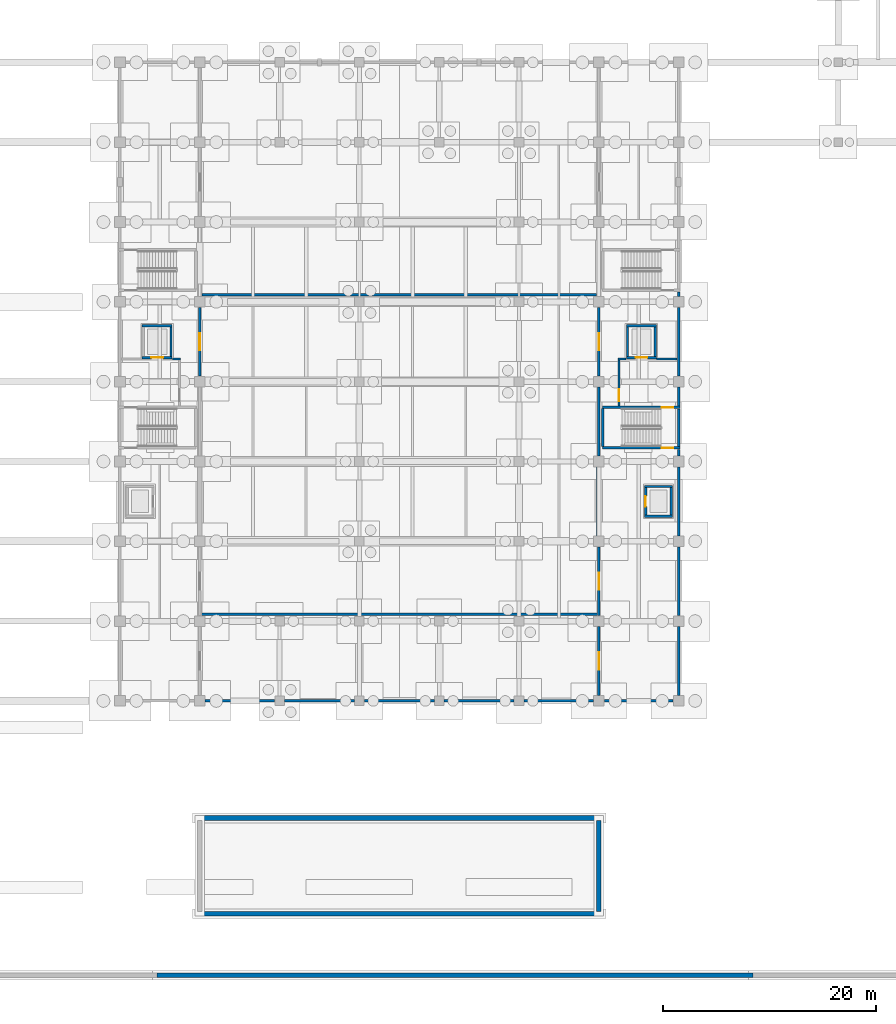
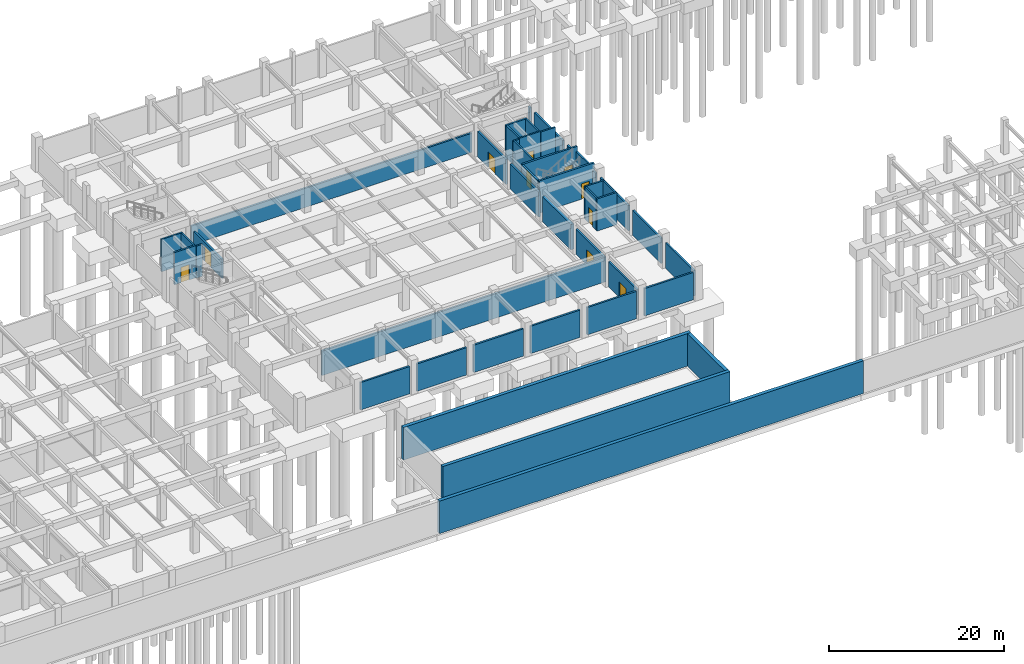
# One storey, part 24 of 38: 44 walls, 10 doors, 10 openings.
"""IFC4 building model written with IfcOpenShell, lengths in metres."""

import ifcopenshell
import ifcopenshell.guid

model = None  # the IFC model being written
_history = None  # IfcOwnerHistory: only IFC2X3 demands one
_inside = {}  # id of a spatial element -> (the spatial element, [elements in it])
_under = {}  # id of a project, library or spatial element -> (it, [spatial elements below it])
_declared = {}  # id of a project -> (the project, [libraries it declares])
_typed = {}  # id of a type object -> (the type object, [elements of that type])
_made_of = {}  # id of a material, layer set ... -> (it, [elements and type objects made of it])


def new_model(schema):
    """Start an empty IFC model of exactly this schema.

    Asked for "IFC4X3", IfcOpenShell would pick the latest addendum, in which some entities
    have other attributes; the version numbers below select the first issue.
    IFC2X3 requires an IfcOwnerHistory on every rooted entity: one is made here for all.
    """
    global model, _history
    if schema == "IFC4X3":
        model = ifcopenshell.file(schema_version=(4, 3, 0, 0))
    else:
        model = ifcopenshell.file(schema=schema)
    _inside.clear()
    _under.clear()
    _declared.clear()
    _typed.clear()
    _made_of.clear()
    _history = None
    if model.schema == "IFC2X3":
        org = make("IfcOrganization", Name="unknown")
        user = make(
            "IfcPersonAndOrganization",
            ThePerson=make("IfcPerson", FamilyName="unknown"),
            TheOrganization=org,
        )
        app = make(
            "IfcApplication",
            ApplicationDeveloper=org,
            Version="unknown",
            ApplicationFullName="unknown",
            ApplicationIdentifier="unknown",
        )
        _history = make(
            "IfcOwnerHistory",
            OwningUser=user,
            OwningApplication=app,
            ChangeAction="ADDED",
            CreationDate=0,
        )
    return model


def make(cls, **values):
    """One entity of the class cls with the attributes given. An attribute that is None is left unset."""
    return model.create_entity(
        cls, **{name: value for name, value in values.items() if value is not None}
    )


def rooted(cls, **values):
    """An entity with a GlobalId (a new one), such as an element, a storey or a relation."""
    return make(cls, GlobalId=ifcopenshell.guid.new(), OwnerHistory=_history, **values)


def si_unit(unit_type, name, prefix=None):
    """IfcSIUnit, for example si_unit("LENGTHUNIT", "METRE", prefix="MILLI")."""
    return make("IfcSIUnit", UnitType=unit_type, Prefix=prefix, Name=name)


def assignment(units):
    """IfcUnitAssignment: the units of a project."""
    return None if units is None else make("IfcUnitAssignment", Units=units)


def point(xyz):
    """IfcCartesianPoint."""
    return None if xyz is None else make("IfcCartesianPoint", Coordinates=xyz)


def direction(xyz):
    """IfcDirection."""
    return None if xyz is None else make("IfcDirection", DirectionRatios=xyz)


def frame(location, z_axis=None, x_axis=None):
    """IfcAxis2Placement3D, a coordinate frame: its origin and axes. An axis left out is left unset."""
    return make(
        "IfcAxis2Placement3D",
        Location=point(location),
        Axis=direction(z_axis),
        RefDirection=direction(x_axis),
    )


def frame_2d(location, x_axis=None):
    """IfcAxis2Placement2D, a coordinate frame in the plane: its origin and x axis."""
    return make(
        "IfcAxis2Placement2D", Location=point(location), RefDirection=direction(x_axis)
    )


def origin():
    """The frame at (0, 0, 0) with its axes left unset."""
    return frame((0.0, 0.0, 0.0))


def place(relative_to, where):
    """IfcLocalPlacement: puts the frame where relative to a parent placement (None: the world)."""
    return make(
        "IfcLocalPlacement", PlacementRelTo=relative_to, RelativePlacement=where
    )


def context(
    kind, dimensions, precision=None, world=None, true_north=None, identifier=None
):
    """IfcGeometricRepresentationContext, for example the 3D "Model" context."""
    return make(
        "IfcGeometricRepresentationContext",
        ContextIdentifier=identifier,
        ContextType=kind,
        CoordinateSpaceDimension=dimensions,
        Precision=precision,
        WorldCoordinateSystem=world,
        TrueNorth=true_north,
    )


def subcontext(parent, identifier, kind, view, scale=None):
    """IfcGeometricRepresentationSubContext, for example "Body" below "Model"."""
    return make(
        "IfcGeometricRepresentationSubContext",
        ContextIdentifier=identifier,
        ContextType=kind,
        ParentContext=parent,
        TargetScale=scale,
        TargetView=view,
    )


def project(units=None, contexts=None):
    """IfcProject with its units and contexts."""
    return rooted(
        "IfcProject",
        Name="project",
        RepresentationContexts=contexts,
        UnitsInContext=assignment(units),
    )


def spatial(cls, under=None, at=None, **own):
    """A site, building, storey or space (cls), placed at a placement, below another one or the project."""
    s = rooted(cls, ObjectPlacement=at, **own)
    if under is not None:
        _under.setdefault(under.id(), (under, []))[1].append(s)
    return s


def profile(cls, at=None, kind="AREA", **sizes):
    """A parametric profile (cls). Its sizes go by their IFC names, for example OverallWidth=200.0."""
    return make(cls, ProfileType=kind, Position=at, **sizes)


def rectangle(**sizes):
    """IfcRectangleProfileDef."""
    return profile("IfcRectangleProfileDef", **sizes)


def extrude(swept, where, along, depth):
    """IfcExtrudedAreaSolid: the profile swept, set in the frame where, extruded along a direction by depth."""
    return make(
        "IfcExtrudedAreaSolid",
        SweptArea=swept,
        Position=where,
        ExtrudedDirection=direction(along),
        Depth=depth,
    )


def shape(context_of_items, identifier, shape_type, items):
    """IfcShapeRepresentation: the items that make up one representation, for example the "Body"."""
    return make(
        "IfcShapeRepresentation",
        ContextOfItems=context_of_items,
        RepresentationIdentifier=identifier,
        RepresentationType=shape_type,
        Items=items,
    )


def material(Name=None, Category=None):
    """IfcMaterial."""
    return make("IfcMaterial", Name=Name, Category=Category)


def layer(
    of_material, thickness, ventilated=None, Name=None, Category=None, Priority=None
):
    """IfcMaterialLayer: one layer of a wall or slab, of a material (None: an air gap)."""
    return make(
        "IfcMaterialLayer",
        Material=of_material,
        LayerThickness=thickness,
        IsVentilated=ventilated,
        Name=Name,
        Category=Category,
        Priority=Priority,
    )


def layer_set(layers, Name=None):
    """IfcMaterialLayerSet."""
    return make("IfcMaterialLayerSet", MaterialLayers=layers, LayerSetName=Name)


def made_of(thing, what):
    """Note that an element or type object is made of a material, layer set ...; save() writes the relation."""
    if what is not None:
        _made_of.setdefault(what.id(), (what, []))[1].append(thing)
    return thing


def type_object(cls, material=None, **own):
    """A type object (cls), such as IfcWallType, which elements share."""
    return made_of(rooted(cls, **own), material)


def element(
    cls,
    number,
    at=None,
    inside=None,
    cuts=None,
    type_object=None,
    material=None,
    context=None,
    identifier="Body",
    shape_type=None,
    held_by="IfcProductDefinitionShape",
    body=None,
    shapes=None,
    **own,
):
    """One element of the class cls, such as IfcWall. Its Tag is "e" and its number.

    at: its placement. inside: the storey or other place that contains it. cuts: it is an
    opening in that element (IfcRelVoidsElement). A single representation is given by context,
    identifier, shape_type and body (its items); several are given by shapes. held_by: the class
    of the entity that holds the representations. save() writes the other relations.
    """
    e = rooted(cls, Tag="e%d" % number, ObjectPlacement=at, **own)
    if body is not None:
        shapes = [shape(context, identifier, shape_type, body)]
    if shapes is not None:
        e.Representation = make(held_by, Representations=shapes)
    if inside is not None:
        _inside.setdefault(inside.id(), (inside, []))[1].append(e)
    if cuts is not None:
        rooted(
            "IfcRelVoidsElement", RelatingBuildingElement=cuts, RelatedOpeningElement=e
        )
    if type_object is not None:
        _typed.setdefault(type_object.id(), (type_object, []))[1].append(e)
    return made_of(e, material)


def fill(opening, filler):
    """IfcRelFillsElement: the door or window that sits in an opening."""
    return rooted(
        "IfcRelFillsElement",
        RelatingOpeningElement=opening,
        RelatedBuildingElement=filler,
    )


def aggregate(whole, parts):
    """IfcRelAggregates: a whole, such as a stair, and the parts it consists of."""
    return rooted("IfcRelAggregates", RelatingObject=whole, RelatedObjects=parts)


def save(model, path):
    """Write the relations noted so far, then the file.

    IfcRelAggregates (storeys below a building ...), IfcRelContainedInSpatialStructure (elements
    in a storey), IfcRelDefinesByType, IfcRelAssociatesMaterial and IfcRelDeclares: one each for
    every whole, place, type object, material and project.
    """
    for whole, parts in _under.values():
        aggregate(whole, parts)
    for where, things in _inside.values():
        rooted(
            "IfcRelContainedInSpatialStructure",
            RelatedElements=things,
            RelatingStructure=where,
        )
    for kind, things in _typed.values():
        rooted("IfcRelDefinesByType", RelatedObjects=things, RelatingType=kind)
    for what, things in _made_of.values():
        rooted("IfcRelAssociatesMaterial", RelatedObjects=things, RelatingMaterial=what)
    for by, libraries in _declared.values():
        rooted("IfcRelDeclares", RelatingContext=by, RelatedDefinitions=libraries)
    model.write(path)


model = new_model("IFC4")

# Units and contexts
model_context = context("Model", 3, precision=1e-05, world=origin(), true_north=direction((0.0, 1.0)))
body_context = subcontext(model_context, "Body", "Model", "MODEL_VIEW")
ifc_project = project(units=[si_unit("LENGTHUNIT", "METRE"), si_unit("AREAUNIT", "SQUARE_METRE"), si_unit("VOLUMEUNIT", "CUBIC_METRE"), si_unit("PLANEANGLEUNIT", "RADIAN"), si_unit("MASSUNIT", "GRAM", prefix="KILO")], contexts=[model_context])

# Site, building, storey
site_placement = place(None, origin())
site = spatial("IfcSite", under=ifc_project, at=site_placement, CompositionType="ELEMENT")
building_placement = place(site_placement, origin())
building = spatial("IfcBuilding", under=site, at=building_placement, Name="Qasida Concert Hall", CompositionType="ELEMENT")
storey_placement = place(building_placement, frame((0.0, 0.0, -4.800048828125)))
storey = spatial("IfcBuildingStorey", under=building, at=storey_placement, Name="B1", CompositionType="ELEMENT", Elevation=-4.800048828125)

# Walls
ifc_material_1 = material(Name="Concrete C40/50", Category="concrete")
ifc_layer_1 = layer(ifc_material_1, 0.219970703125, Name="Concrete C40/50")
ifc_layer_set_1 = layer_set([ifc_layer_1], Name="Concrete C40/50")
wall_type_1 = type_object("IfcWallType", Name="WL-CW-220", PredefinedType="SOLIDWALL", material=ifc_layer_set_1)
for number, where, z_axis, x_axis, name in (
    (1, (101.7900390625, 39.85009765625, 0.0), (0.0, 0.0, 1.0), (1.0, 0.0, 0.0), "B1 LF-02 lift shaft wall S"),
    (2, (101.7900390625, 42.64990234375, 0.0), (0.0, 0.0, 1.0), (1.0, 0.0, 0.0), "B1 LF-02 lift shaft wall N"),
):
    element("IfcWall", number, at=place(storey_placement, frame(where, z_axis=z_axis, x_axis=x_axis)), inside=storey, type_object=wall_type_1, Name=name, PredefinedType="SOLIDWALL", context=body_context, shape_type="SweptSolid", body=[
        extrude(rectangle(XDim=2.619873046875, YDim=0.219970703125, at=frame_2d((1.31005859375, 0.0))), origin(), (0.0, 0.0, 1.0), 4.5),
    ])

# Wall, opening, door
wall_1_placement = place(storey_placement, frame((101.89990234375, 39.9599609375, 0.0), z_axis=(0.0, 0.0, 1.0), x_axis=(0.0, 1.0, 0.0)))
wall_1 = element("IfcWall", 3, at=wall_1_placement, inside=storey, type_object=wall_type_1, Name="B1 LF-02 lift shaft wall W", PredefinedType="SOLIDWALL", context=body_context, shape_type="SweptSolid", body=[
    extrude(rectangle(XDim=2.580078125, YDim=0.219970703125, at=frame_2d((1.2900390625, 0.0))), origin(), (0.0, 0.0, 1.0), 4.5),
])
opening_1_placement = place(wall_1_placement, frame((0.7900390625, 0.0, 0.0)))
opening_1 = element("IfcOpeningElement", 4, at=opening_1_placement, cuts=wall_1, Name="Opening LD-100", PredefinedType="OPENING", context=body_context, shape_type="SweptSolid", body=[
    extrude(rectangle(XDim=1.0, YDim=2.14990234375, at=frame_2d((0.5, 1.074951171875))), frame((0.0, 0.119873046875, 0.0), z_axis=(0.0, -1.0, 0.0), x_axis=(1.0, 0.0, 0.0)), (0.0, 0.0, 1.0), 0.239990234375),
])
ifc_material_2 = material(Name="Brushed bronze passenger lift landing door", Category="steel")
door_type_1 = type_object("IfcDoorType", Name="LD-100", OperationType="SLIDING_TO_LEFT", PredefinedType="DOOR", material=ifc_material_2)
door_1_placement = place(opening_1_placement, origin())
door_1 = element("IfcDoor", 5, at=door_1_placement, inside=storey, type_object=door_type_1, Name="Lift landing door LF-02 B1", OperationType="SLIDING_TO_LEFT", OverallHeight=2.14990234375, OverallWidth=1.0, PredefinedType="DOOR", context=body_context, shape_type="SweptSolid", body=[
    extrude(rectangle(XDim=1.0, YDim=2.14990234375, at=frame_2d((0.5, 1.074951171875))), frame((0.0, 0.02490234375, 0.0), z_axis=(0.0, -1.0, 0.0), x_axis=(1.0, 0.0, 0.0)), (0.0, 0.0, 1.0), 0.050048828125),
])
fill(opening_1, door_1)

# Wall
wall_2_placement = place(storey_placement, frame((104.300048828125, 39.9599609375, 0.0), z_axis=(0.0, 0.0, 1.0), x_axis=(0.0, 1.0, 0.0)))
element("IfcWall", 6, at=wall_2_placement, inside=storey, type_object=wall_type_1, Name="B1 LF-02 lift shaft wall E", PredefinedType="SOLIDWALL", context=body_context, shape_type="SweptSolid", body=[
    extrude(rectangle(XDim=2.580078125, YDim=0.219970703125, at=frame_2d((1.2900390625, 0.0))), origin(), (0.0, 0.0, 1.0), 4.5),
])

# Wall, opening, door
wall_3_placement = place(storey_placement, frame((54.590087890625, 54.75, 0.0), z_axis=(0.0, 0.0, 1.0), x_axis=(1.0, 0.0, 0.0)))
wall_3 = element("IfcWall", 7, at=wall_3_placement, inside=storey, type_object=wall_type_1, Name="B1 LF-03 lift shaft wall S", PredefinedType="SOLIDWALL", context=body_context, shape_type="SweptSolid", body=[
    extrude(rectangle(XDim=2.81982421875, YDim=0.219970703125, at=frame_2d((1.409912109375, 0.0))), origin(), (0.0, 0.0, 1.0), 4.5),
])
opening_2_placement = place(wall_3_placement, frame((0.860107421875, 0.0, 0.0)))
opening_2 = element("IfcOpeningElement", 8, at=opening_2_placement, cuts=wall_3, Name="Opening LD-110", PredefinedType="OPENING", context=body_context, shape_type="SweptSolid", body=[
    extrude(rectangle(XDim=1.10009765625, YDim=2.14990234375, at=frame_2d((0.550048828125, 1.074951171875))), frame((0.0, 0.119873046875, 0.0), z_axis=(0.0, -1.0, 0.0), x_axis=(1.0, 0.0, 0.0)), (0.0, 0.0, 1.0), 0.239990234375),
])
ifc_material_3 = material(Name="Firefighting lift sliding landing door", Category="steel")
door_type_2 = type_object("IfcDoorType", Name="LD-110", OperationType="SLIDING_TO_LEFT", PredefinedType="DOOR", material=ifc_material_3)
door_2_placement = place(opening_2_placement, origin())
door_2 = element("IfcDoor", 9, at=door_2_placement, inside=storey, type_object=door_type_2, Name="Lift landing door LF-03 B1", OperationType="SLIDING_TO_LEFT", OverallHeight=2.14990234375, OverallWidth=1.10009765625, PredefinedType="DOOR", context=body_context, shape_type="SweptSolid", body=[
    extrude(rectangle(XDim=1.10009765625, YDim=2.14990234375, at=frame_2d((0.550048828125, 1.074951171875))), frame((0.0, 0.02490234375, 0.0), z_axis=(0.0, -1.0, 0.0), x_axis=(1.0, 0.0, 0.0)), (0.0, 0.0, 1.0), 0.050048828125),
])
fill(opening_2, door_2)

# Walls
wall_4_placement = place(storey_placement, frame((54.590087890625, 57.75, 0.0), z_axis=(0.0, 0.0, 1.0), x_axis=(1.0, 0.0, 0.0)))
element("IfcWall", 10, at=wall_4_placement, inside=storey, type_object=wall_type_1, Name="B1 LF-03 lift shaft wall N", PredefinedType="SOLIDWALL", context=body_context, shape_type="SweptSolid", body=[
    extrude(rectangle(XDim=2.81982421875, YDim=0.219970703125, at=frame_2d((1.409912109375, 0.0))), origin(), (0.0, 0.0, 1.0), 4.5),
])
wall_5_placement = place(storey_placement, frame((57.300048828125, 54.860107421875, 0.0), z_axis=(0.0, 0.0, 1.0), x_axis=(0.0, 1.0, 0.0)))
element("IfcWall", 11, at=wall_5_placement, inside=storey, type_object=wall_type_1, Name="B1 LF-03 lift shaft wall E", PredefinedType="SOLIDWALL", context=body_context, shape_type="SweptSolid", body=[
    extrude(rectangle(XDim=2.77978515625, YDim=0.219970703125, at=frame_2d((1.389892578125, 0.0))), origin(), (0.0, 0.0, 1.0), 4.5),
])

# Wall, opening, door
wall_6_placement = place(storey_placement, frame((100.090087890625, 54.75, 0.0), z_axis=(0.0, 0.0, 1.0), x_axis=(1.0, 0.0, 0.0)))
wall_6 = element("IfcWall", 12, at=wall_6_placement, inside=storey, type_object=wall_type_1, Name="B1 LF-04 lift shaft wall S", PredefinedType="SOLIDWALL", context=body_context, shape_type="SweptSolid", body=[
    extrude(rectangle(XDim=2.81982421875, YDim=0.219970703125, at=frame_2d((1.409912109375, 0.0))), origin(), (0.0, 0.0, 1.0), 4.5),
])
opening_3_placement = place(wall_6_placement, frame((0.860107421875, 0.0, 0.0)))
opening_3 = element("IfcOpeningElement", 13, at=opening_3_placement, cuts=wall_6, Name="Opening LD-110", PredefinedType="OPENING", context=body_context, shape_type="SweptSolid", body=[
    extrude(rectangle(XDim=1.10009765625, YDim=2.14990234375, at=frame_2d((0.550048828125, 1.074951171875))), frame((0.0, 0.119873046875, 0.0), z_axis=(0.0, -1.0, 0.0), x_axis=(1.0, 0.0, 0.0)), (0.0, 0.0, 1.0), 0.239990234375),
])
door_3_placement = place(opening_3_placement, origin())
door_3 = element("IfcDoor", 14, at=door_3_placement, inside=storey, type_object=door_type_2, Name="Lift landing door LF-04 B1", OperationType="SLIDING_TO_LEFT", OverallHeight=2.14990234375, OverallWidth=1.10009765625, PredefinedType="DOOR", context=body_context, shape_type="SweptSolid", body=[
    extrude(rectangle(XDim=1.10009765625, YDim=2.14990234375, at=frame_2d((0.550048828125, 1.074951171875))), frame((0.0, 0.02490234375, 0.0), z_axis=(0.0, -1.0, 0.0), x_axis=(1.0, 0.0, 0.0)), (0.0, 0.0, 1.0), 0.050048828125),
])
fill(opening_3, door_3)

# Walls
wall_7_placement = place(storey_placement, frame((100.090087890625, 57.75, 0.0), z_axis=(0.0, 0.0, 1.0), x_axis=(1.0, 0.0, 0.0)))
element("IfcWall", 15, at=wall_7_placement, inside=storey, type_object=wall_type_1, Name="B1 LF-04 lift shaft wall N", PredefinedType="SOLIDWALL", context=body_context, shape_type="SweptSolid", body=[
    extrude(rectangle(XDim=2.81982421875, YDim=0.219970703125, at=frame_2d((1.409912109375, 0.0))), origin(), (0.0, 0.0, 1.0), 4.5),
])
for number, where, z_axis, x_axis, name in (
    (16, (100.199951171875, 54.860107421875, 0.0), (0.0, 0.0, 1.0), (0.0, 1.0, 0.0), "B1 LF-04 lift shaft wall W"),
    (17, (102.800048828125, 54.860107421875, 0.0), (0.0, 0.0, 1.0), (0.0, 1.0, 0.0), "B1 LF-04 lift shaft wall E"),
):
    element("IfcWall", number, at=place(storey_placement, frame(where, z_axis=z_axis, x_axis=x_axis)), inside=storey, type_object=wall_type_1, Name=name, PredefinedType="SOLIDWALL", context=body_context, shape_type="SweptSolid", body=[
        extrude(rectangle(XDim=2.77978515625, YDim=0.219970703125, at=frame_2d((1.389892578125, 0.0))), origin(), (0.0, 0.0, 1.0), 4.5),
    ])

# Wall, opening, door
wall_8_placement = place(storey_placement, frame((99.39990234375, 50.219970703125, 0.0), z_axis=(0.0, 0.0, 1.0), x_axis=(0.0, 1.0, 0.0)))
wall_8 = element("IfcWall", 18, at=wall_8_placement, inside=storey, type_object=wall_type_1, Name="B1 LF-04 firefighting lobby wall", PredefinedType="SOLIDWALL", context=body_context, shape_type="SweptSolid", body=[
    extrude(rectangle(XDim=4.409912109375, YDim=0.219970703125, at=frame_2d((2.205078125, 0.0))), origin(), (0.0, 0.0, 1.0), 4.5),
])
opening_4_placement = place(wall_8_placement, frame((0.449951171875, 0.0, 0.0)))
opening_4 = element("IfcOpeningElement", 19, at=opening_4_placement, cuts=wall_8, Name="Opening FD-110", PredefinedType="OPENING", context=body_context, shape_type="SweptSolid", body=[
    extrude(rectangle(XDim=1.10009765625, YDim=2.14990234375, at=frame_2d((0.550048828125, 1.074951171875))), frame((0.0, 0.119873046875, 0.0), z_axis=(0.0, -1.0, 0.0), x_axis=(1.0, 0.0, 0.0)), (0.0, 0.0, 1.0), 0.239990234375),
])
ifc_material_4 = material(Name="Steel fire-rated stair/lobby door set", Category="steel")
door_type_3 = type_object("IfcDoorType", Name="FD-110", OperationType="NOTDEFINED", PredefinedType="DOOR", material=ifc_material_4)
door_4_placement = place(opening_4_placement, origin())
door_4 = element("IfcDoor", 20, at=door_4_placement, inside=storey, type_object=door_type_3, Name="B1 LF-04 firefighting lobby fire door", OperationType="SINGLE_SWING_RIGHT", OverallHeight=2.14990234375, OverallWidth=1.10009765625, PredefinedType="DOOR", context=body_context, shape_type="SweptSolid", body=[
    extrude(rectangle(XDim=1.10009765625, YDim=2.14990234375, at=frame_2d((0.550048828125, 1.074951171875))), frame((0.0, 0.02490234375, 0.0), z_axis=(0.0, -1.0, 0.0), x_axis=(1.0, 0.0, 0.0)), (0.0, 0.0, 1.0), 0.050048828125),
])
fill(opening_4, door_4)

ifc_layer_2 = layer(ifc_material_1, 0.25, Name="Concrete C40/50")
ifc_layer_set_2 = layer_set([ifc_layer_2], Name="Concrete C40/50")
wall_type_2 = type_object("IfcWallType", Name="WL-CW-250", PredefinedType="SOLIDWALL", material=ifc_layer_set_2)
wall_9_placement = place(storey_placement, frame((97.860107421875, 46.27490234375, 0.0), z_axis=(0.0, 0.0, 1.0), x_axis=(1.0, 0.0, 0.0)))
wall_9 = element("IfcWall", 21, at=wall_9_placement, inside=storey, type_object=wall_type_2, Name="B1 ST-02 stairwell wall S", PredefinedType="SOLIDWALL", context=body_context, shape_type="SweptSolid", body=[
    extrude(rectangle(XDim=7.260009765625, YDim=0.25, at=frame_2d((3.6298828125, 0.0))), origin(), (0.0, 0.0, 1.0), 4.5),
])
opening_5_placement = place(wall_9_placement, frame((5.5400390625, 0.0, 0.0)))
opening_5 = element("IfcOpeningElement", 22, at=opening_5_placement, cuts=wall_9, Name="Opening FD-110", PredefinedType="OPENING", context=body_context, shape_type="SweptSolid", body=[
    extrude(rectangle(XDim=1.10009765625, YDim=2.14990234375, at=frame_2d((0.550048828125, 1.074951171875))), frame((0.0, 0.135009765625, 0.0), z_axis=(0.0, -1.0, 0.0), x_axis=(1.0, 0.0, 0.0)), (0.0, 0.0, 1.0), 0.27001953125),
])
door_5_placement = place(opening_5_placement, origin())
door_5 = element("IfcDoor", 23, at=door_5_placement, inside=storey, type_object=door_type_3, Name="B1 ST-02 rated stair door", OperationType="SINGLE_SWING_LEFT", OverallHeight=2.14990234375, OverallWidth=1.10009765625, PredefinedType="DOOR", context=body_context, shape_type="SweptSolid", body=[
    extrude(rectangle(XDim=1.10009765625, YDim=2.14990234375, at=frame_2d((0.550048828125, 1.074951171875))), frame((0.0, 0.02490234375, 0.0), z_axis=(0.0, -1.0, 0.0), x_axis=(1.0, 0.0, 0.0)), (0.0, 0.0, 1.0), 0.050048828125),
])
fill(opening_5, door_5)

wall_10_placement = place(storey_placement, frame((97.860107421875, 50.0849609375, 0.0), z_axis=(0.0, 0.0, 1.0), x_axis=(1.0, 0.0, 0.0)))
wall_10 = element("IfcWall", 24, at=wall_10_placement, inside=storey, type_object=wall_type_2, Name="B1 ST-02 stairwell wall N", PredefinedType="SOLIDWALL", context=body_context, shape_type="SweptSolid", body=[
    extrude(rectangle(XDim=7.260009765625, YDim=0.25, at=frame_2d((3.6298828125, 0.0))), origin(), (0.0, 0.0, 1.0), 4.5),
])
opening_6_placement = place(wall_10_placement, frame((5.5400390625, 0.0, 0.0)))
opening_6 = element("IfcOpeningElement", 25, at=opening_6_placement, cuts=wall_10, Name="Opening FD-110", PredefinedType="OPENING", context=body_context, shape_type="SweptSolid", body=[
    extrude(rectangle(XDim=1.10009765625, YDim=2.14990234375, at=frame_2d((0.550048828125, 1.074951171875))), frame((0.0, 0.135009765625, 0.0), z_axis=(0.0, -1.0, 0.0), x_axis=(1.0, 0.0, 0.0)), (0.0, 0.0, 1.0), 0.27001953125),
])
door_6_placement = place(opening_6_placement, frame((1.10009765625, 0.0, 0.0), z_axis=(0.0, 0.0, 1.0), x_axis=(-1.0, 0.0, 0.0)))
door_6 = element("IfcDoor", 26, at=door_6_placement, inside=storey, type_object=door_type_3, Name="B1 ST-02 rated stair door", OperationType="SINGLE_SWING_RIGHT", OverallHeight=2.14990234375, OverallWidth=1.10009765625, PredefinedType="DOOR", context=body_context, shape_type="SweptSolid", body=[
    extrude(rectangle(XDim=1.10009765625, YDim=2.14990234375, at=frame_2d((0.550048828125, 1.074951171875))), frame((0.0, 0.02490234375, 0.0), z_axis=(0.0, -1.0, 0.0), x_axis=(1.0, 0.0, 0.0)), (0.0, 0.0, 1.0), 0.050048828125),
])
fill(opening_6, door_6)

# Walls
wall_11_placement = place(storey_placement, frame((97.85498046875, 46.39990234375, 0.0), z_axis=(0.0, 0.0, 1.0), x_axis=(0.0, 1.0, 0.0)))
element("IfcWall", 27, at=wall_11_placement, inside=storey, type_object=wall_type_2, Name="B1 ST-02 stairwell wall W", PredefinedType="SOLIDWALL", context=body_context, shape_type="SweptSolid", body=[
    extrude(rectangle(XDim=3.56005859375, YDim=0.25, at=frame_2d((1.780029296875, 0.0))), origin(), (0.0, 0.0, 1.0), 4.5),
])
ifc_material_5 = material(Name="Acoustic gypsum block and mineral wool", Category="gypsum")
ifc_layer_3 = layer(ifc_material_5, 0.199951171875, Name="Acoustic gypsum block and mineral wool")
ifc_layer_set_3 = layer_set([ifc_layer_3], Name="Acoustic gypsum block and mineral wool")
wall_type_3 = type_object("IfcWallType", Name="WL-PW-200", PredefinedType="PARTITIONING", material=ifc_layer_set_3)
for number, where, z_axis, x_axis, name in (
    (28, (57.425048828125, 54.6298828125, 0.0), (0.0, 0.0, 1.0), (1.0, 0.0, 0.0), "B1 LF-03 firefighting lobby return wall"),
    (29, (99.2900390625, 54.6298828125, 0.0), (0.0, 0.0, 1.0), (1.0, 0.0, 0.0), "B1 LF-04 firefighting lobby return wall"),
):
    element("IfcWall", number, at=place(storey_placement, frame(where, z_axis=z_axis, x_axis=x_axis)), inside=storey, type_object=wall_type_3, Name=name, PredefinedType="PARTITIONING", context=body_context, shape_type="SweptSolid", body=[
        extrude(rectangle(XDim=0.784912109375, YDim=0.199951171875, at=frame_2d((0.392578125, 0.0))), origin(), (0.0, 0.0, 1.0), 4.47998046875),
    ])
wall_12_placement = place(storey_placement, frame((102.925048828125, 54.6298828125, 0.0), z_axis=(0.0, 0.0, 1.0), x_axis=(1.0, 0.0, 0.0)))
element("IfcWall", 30, at=wall_12_placement, inside=storey, type_object=wall_type_3, Name="B1 LF-04 firefighting lobby return wall", PredefinedType="PARTITIONING", context=body_context, shape_type="SweptSolid", body=[
    extrude(rectangle(XDim=1.93505859375, YDim=0.199951171875, at=frame_2d((0.967529296875, 0.0))), origin(), (0.0, 0.0, 1.0), 4.47998046875),
])
ifc_material_6 = material(Name="Double-stud acoustic gypsum and mineral wool", Category="gypsum")
ifc_layer_4 = layer(ifc_material_6, 0.239990234375, Name="Double-stud acoustic gypsum and mineral wool")
ifc_layer_set_4 = layer_set([ifc_layer_4], Name="Double-stud acoustic gypsum and mineral wool")
wall_type_4 = type_object("IfcWallType", Name="WL-PW-240", PredefinedType="PARTITIONING", material=ifc_layer_set_4)
wall_13_placement = place(storey_placement, frame((60.513916015625, 22.5, 0.0), z_axis=(0.0, 0.0, 1.0), x_axis=(1.0, 0.0, 0.0)))
element("IfcWall", 31, at=wall_13_placement, inside=storey, type_object=wall_type_4, Name="B1 partition PW-240 0024", PredefinedType="PARTITIONING", context=body_context, shape_type="SweptSolid", body=[
    extrude(rectangle(XDim=6.52197265625, YDim=0.239990234375, at=frame_2d((3.260986328125, 0.0))), origin(), (0.0, 0.0, 1.0), 3.820068359375),
])
for number, where, z_axis, x_axis, name in (
    (32, (67.964111328125, 22.5, 0.0), (0.0, 0.0, 1.0), (1.0, 0.0, 0.0), "B1 partition PW-240 0025"),
    (33, (75.464111328125, 22.5, 0.0), (0.0, 0.0, 1.0), (1.0, 0.0, 0.0), "B1 partition PW-240 0026"),
    (34, (82.964111328125, 22.5, 0.0), (0.0, 0.0, 1.0), (1.0, 0.0, 0.0), "B1 partition PW-240 0027"),
):
    element("IfcWall", number, at=place(storey_placement, frame(where, z_axis=z_axis, x_axis=x_axis)), inside=storey, type_object=wall_type_4, Name=name, PredefinedType="PARTITIONING", context=body_context, shape_type="SweptSolid", body=[
        extrude(rectangle(XDim=6.57177734375, YDim=0.239990234375, at=frame_2d((3.285888671875, 0.0))), origin(), (0.0, 0.0, 1.0), 3.820068359375),
    ])
wall_14_placement = place(storey_placement, frame((90.464111328125, 22.5, 0.0), z_axis=(0.0, 0.0, 1.0), x_axis=(1.0, 0.0, 0.0)))
element("IfcWall", 35, at=wall_14_placement, inside=storey, type_object=wall_type_4, Name="B1 partition PW-240 0028", PredefinedType="PARTITIONING", context=body_context, shape_type="SweptSolid", body=[
    extrude(rectangle(XDim=6.52197265625, YDim=0.239990234375, at=frame_2d((3.260986328125, 0.0))), origin(), (0.0, 0.0, 1.0), 3.820068359375),
])
wall_15_placement = place(storey_placement, frame((98.013916015625, 22.5, 0.0), z_axis=(0.0, 0.0, 1.0), x_axis=(1.0, 0.0, 0.0)))
element("IfcWall", 36, at=wall_15_placement, inside=storey, type_object=wall_type_4, Name="B1 partition PW-240 0029", PredefinedType="PARTITIONING", context=body_context, shape_type="SweptSolid", body=[
    extrude(rectangle(XDim=6.47216796875, YDim=0.239990234375, at=frame_2d((3.236083984375, 0.0))), origin(), (0.0, 0.0, 1.0), 3.820068359375),
])
for number, where, z_axis, x_axis, name in (
    (37, (105.0, 23.013916015625, 0.0), (0.0, 0.0, 1.0), (0.0, 1.0, 0.0), "B1 partition PW-240 0052"),
    (38, (105.0, 30.513916015625, 0.0), (0.0, 0.0, 1.0), (0.0, 1.0, 0.0), "B1 partition PW-240 0053"),
    (39, (105.0, 38.013916015625, 0.0), (0.0, 0.0, 1.0), (0.0, 1.0, 0.0), "B1 partition PW-240 0054"),
):
    element("IfcWall", number, at=place(storey_placement, frame(where, z_axis=z_axis, x_axis=x_axis)), inside=storey, type_object=wall_type_4, Name=name, PredefinedType="PARTITIONING", context=body_context, shape_type="SweptSolid", body=[
        extrude(rectangle(XDim=6.47216796875, YDim=0.239990234375, at=frame_2d((3.236083984375, 0.0))), origin(), (0.0, 0.0, 1.0), 3.52001953125),
    ])
wall_16_placement = place(storey_placement, frame((105.0, 45.513916015625, 0.0), z_axis=(0.0, 0.0, 1.0), x_axis=(0.0, 1.0, 0.0)))
element("IfcWall", 40, at=wall_16_placement, inside=storey, type_object=wall_type_4, Name="B1 partition PW-240 0055", PredefinedType="PARTITIONING", context=body_context, shape_type="SweptSolid", body=[
    extrude(rectangle(XDim=0.6220703125, YDim=0.239990234375, at=frame_2d((0.31103515625, 0.0))), origin(), (0.0, 0.0, 1.0), 3.52001953125),
])
wall_17_placement = place(storey_placement, frame((105.0, 46.4140625, 0.0), z_axis=(0.0, 0.0, 1.0), x_axis=(0.0, 1.0, 0.0)))
element("IfcWall", 41, at=wall_17_placement, inside=storey, type_object=wall_type_4, Name="B1 partition PW-240 0056", PredefinedType="PARTITIONING", context=body_context, shape_type="SweptSolid", body=[
    extrude(rectangle(XDim=3.531982421875, YDim=0.239990234375, at=frame_2d((1.76611328125, 0.0))), origin(), (0.0, 0.0, 1.0), 3.8701171875),
])
wall_18_placement = place(storey_placement, frame((105.0, 50.22412109375, 0.0), z_axis=(0.0, 0.0, 1.0), x_axis=(0.0, 1.0, 0.0)))
element("IfcWall", 42, at=wall_18_placement, inside=storey, type_object=wall_type_4, Name="B1 partition PW-240 0057", PredefinedType="PARTITIONING", context=body_context, shape_type="SweptSolid", body=[
    extrude(rectangle(XDim=1.761962890625, YDim=0.239990234375, at=frame_2d((0.880859375, 0.0))), origin(), (0.0, 0.0, 1.0), 3.52001953125),
])
wall_19_placement = place(storey_placement, frame((105.0, 53.013916015625, 0.0), z_axis=(0.0, 0.0, 1.0), x_axis=(0.0, 1.0, 0.0)))
element("IfcWall", 43, at=wall_19_placement, inside=storey, type_object=wall_type_4, Name="B1 partition PW-240 0058", PredefinedType="PARTITIONING", context=body_context, shape_type="SweptSolid", body=[
    extrude(rectangle(XDim=6.47216796875, YDim=0.239990234375, at=frame_2d((3.236083984375, 0.0))), origin(), (0.0, 0.0, 1.0), 3.52001953125),
])
wall_20_placement = place(storey_placement, frame((105.0, 60.513916015625, 0.0), z_axis=(0.0, 0.0, 1.0), x_axis=(0.0, 1.0, 0.0)))
element("IfcWall", 44, at=wall_20_placement, inside=storey, type_object=wall_type_4, Name="B1 partition PW-240 0059", PredefinedType="PARTITIONING", context=body_context, shape_type="SweptSolid", body=[
    extrude(rectangle(XDim=0.422119140625, YDim=0.239990234375, at=frame_2d((0.2109375, 0.0))), origin(), (0.0, 0.0, 1.0), 3.52001953125),
])

# Wall, opening, door
wall_21_placement = place(storey_placement, frame((60.0, 53.013916015625, 0.0), z_axis=(0.0, 0.0, 1.0), x_axis=(0.0, 1.0, 0.0)))
wall_21 = element("IfcWall", 45, at=wall_21_placement, inside=storey, type_object=wall_type_4, Name="B1 partition PW-240 0400", PredefinedType="PARTITIONING", context=body_context, shape_type="SweptSolid", body=[
    extrude(rectangle(XDim=6.47216796875, YDim=0.239990234375, at=frame_2d((3.236083984375, 0.0))), origin(), (0.0, 0.0, 1.0), 2.670166015625),
])
opening_7_placement = place(wall_21_placement, frame((2.43603515625, 0.0, 0.0)))
opening_7 = element("IfcOpeningElement", 46, at=opening_7_placement, cuts=wall_21, Name="Opening FD-160", PredefinedType="OPENING", context=body_context, shape_type="SweptSolid", body=[
    extrude(rectangle(XDim=1.60009765625, YDim=2.14990234375, at=frame_2d((0.800048828125, 1.074951171875))), frame((0.0, 0.1298828125, 0.0), z_axis=(0.0, -1.0, 0.0), x_axis=(1.0, 0.0, 0.0)), (0.0, 0.0, 1.0), 0.260009765625),
])
ifc_material_7 = material(Name="Double-leaf acoustic fire door", Category="steel")
door_type_4 = type_object("IfcDoorType", Name="FD-160", OperationType="NOTDEFINED", PredefinedType="DOOR", material=ifc_material_7)
door_7_placement = place(opening_7_placement, origin())
door_7 = element("IfcDoor", 47, at=door_7_placement, inside=storey, type_object=door_type_4, Name="B1 Displacement plenum north-west fire door", OperationType="SINGLE_SWING_RIGHT", OverallHeight=2.14990234375, OverallWidth=1.60009765625, PredefinedType="DOOR", context=body_context, shape_type="SweptSolid", body=[
    extrude(rectangle(XDim=1.60009765625, YDim=2.14990234375, at=frame_2d((0.800048828125, 1.074951171875))), frame((0.0, 0.02490234375, 0.0), z_axis=(0.0, -1.0, 0.0), x_axis=(1.0, 0.0, 0.0)), (0.0, 0.0, 1.0), 0.050048828125),
])
fill(opening_7, door_7)

wall_22_placement = place(storey_placement, frame((97.5, 23.013916015625, 0.0), z_axis=(0.0, 0.0, 1.0), x_axis=(0.0, 1.0, 0.0)))
wall_22 = element("IfcWall", 48, at=wall_22_placement, inside=storey, type_object=wall_type_4, Name="B1 partition PW-240 0403", PredefinedType="PARTITIONING", context=body_context, shape_type="SweptSolid", body=[
    extrude(rectangle(XDim=6.47216796875, YDim=0.239990234375, at=frame_2d((3.236083984375, 0.0))), origin(), (0.0, 0.0, 1.0), 3.52001953125),
])
opening_8_placement = place(wall_22_placement, frame((2.43603515625, 0.0, 0.0)))
opening_8 = element("IfcOpeningElement", 49, at=opening_8_placement, cuts=wall_22, Name="Opening FD-160", PredefinedType="OPENING", context=body_context, shape_type="SweptSolid", body=[
    extrude(rectangle(XDim=1.60009765625, YDim=2.14990234375, at=frame_2d((0.800048828125, 1.074951171875))), frame((0.0, 0.1298828125, 0.0), z_axis=(0.0, -1.0, 0.0), x_axis=(1.0, 0.0, 0.0)), (0.0, 0.0, 1.0), 0.260009765625),
])
door_8_placement = place(opening_8_placement, origin())
door_8 = element("IfcDoor", 50, at=door_8_placement, inside=storey, type_object=door_type_4, Name="B1 Chiller plant east fire door", OperationType="SINGLE_SWING_RIGHT", OverallHeight=2.14990234375, OverallWidth=1.60009765625, PredefinedType="DOOR", context=body_context, shape_type="SweptSolid", body=[
    extrude(rectangle(XDim=1.60009765625, YDim=2.14990234375, at=frame_2d((0.800048828125, 1.074951171875))), frame((0.0, 0.02490234375, 0.0), z_axis=(0.0, -1.0, 0.0), x_axis=(1.0, 0.0, 0.0)), (0.0, 0.0, 1.0), 0.050048828125),
])
fill(opening_8, door_8)

wall_23_placement = place(storey_placement, frame((97.5, 30.513916015625, 0.0), z_axis=(0.0, 0.0, 1.0), x_axis=(0.0, 1.0, 0.0)))
wall_23 = element("IfcWall", 51, at=wall_23_placement, inside=storey, type_object=wall_type_4, Name="B1 partition PW-240 0404", PredefinedType="PARTITIONING", context=body_context, shape_type="SweptSolid", body=[
    extrude(rectangle(XDim=6.47216796875, YDim=0.239990234375, at=frame_2d((3.236083984375, 0.0))), origin(), (0.0, 0.0, 1.0), 3.52001953125),
])
opening_9_placement = place(wall_23_placement, frame((2.43603515625, 0.0, 0.0)))
opening_9 = element("IfcOpeningElement", 52, at=opening_9_placement, cuts=wall_23, Name="Opening FD-160", PredefinedType="OPENING", context=body_context, shape_type="SweptSolid", body=[
    extrude(rectangle(XDim=1.60009765625, YDim=2.14990234375, at=frame_2d((0.800048828125, 1.074951171875))), frame((0.0, 0.1298828125, 0.0), z_axis=(0.0, -1.0, 0.0), x_axis=(1.0, 0.0, 0.0)), (0.0, 0.0, 1.0), 0.260009765625),
])
door_9_placement = place(opening_9_placement, origin())
door_9 = element("IfcDoor", 53, at=door_9_placement, inside=storey, type_object=door_type_4, Name="B1 Displacement plenum south-east fire door", OperationType="SINGLE_SWING_LEFT", OverallHeight=2.14990234375, OverallWidth=1.60009765625, PredefinedType="DOOR", context=body_context, shape_type="SweptSolid", body=[
    extrude(rectangle(XDim=1.60009765625, YDim=2.14990234375, at=frame_2d((0.800048828125, 1.074951171875))), frame((0.0, 0.02490234375, 0.0), z_axis=(0.0, -1.0, 0.0), x_axis=(1.0, 0.0, 0.0)), (0.0, 0.0, 1.0), 0.050048828125),
])
fill(opening_9, door_9)

# Wall
wall_24_placement = place(storey_placement, frame((97.5, 45.513916015625, 0.0), z_axis=(0.0, 0.0, 1.0), x_axis=(0.0, 1.0, 0.0)))
element("IfcWall", 54, at=wall_24_placement, inside=storey, type_object=wall_type_4, Name="B1 partition PW-240 0405", PredefinedType="PARTITIONING", context=body_context, shape_type="SweptSolid", body=[
    extrude(rectangle(XDim=6.47216796875, YDim=0.239990234375, at=frame_2d((3.236083984375, 0.0))), origin(), (0.0, 0.0, 1.0), 3.52001953125),
])

# Wall, opening, door
wall_25_placement = place(storey_placement, frame((97.5, 53.013916015625, 0.0), z_axis=(0.0, 0.0, 1.0), x_axis=(0.0, 1.0, 0.0)))
wall_25 = element("IfcWall", 55, at=wall_25_placement, inside=storey, type_object=wall_type_4, Name="B1 partition PW-240 0406", PredefinedType="PARTITIONING", context=body_context, shape_type="SweptSolid", body=[
    extrude(rectangle(XDim=6.47216796875, YDim=0.239990234375, at=frame_2d((3.236083984375, 0.0))), origin(), (0.0, 0.0, 1.0), 3.52001953125),
])
opening_10_placement = place(wall_25_placement, frame((2.43603515625, 0.0, 0.0)))
opening_10 = element("IfcOpeningElement", 56, at=opening_10_placement, cuts=wall_25, Name="Opening FD-160", PredefinedType="OPENING", context=body_context, shape_type="SweptSolid", body=[
    extrude(rectangle(XDim=1.60009765625, YDim=2.14990234375, at=frame_2d((0.800048828125, 1.074951171875))), frame((0.0, 0.1298828125, 0.0), z_axis=(0.0, -1.0, 0.0), x_axis=(1.0, 0.0, 0.0)), (0.0, 0.0, 1.0), 0.260009765625),
])
door_10_placement = place(opening_10_placement, origin())
door_10 = element("IfcDoor", 57, at=door_10_placement, inside=storey, type_object=door_type_4, Name="B1 Displacement plenum north-east fire door", OperationType="SINGLE_SWING_RIGHT", OverallHeight=2.14990234375, OverallWidth=1.60009765625, PredefinedType="DOOR", context=body_context, shape_type="SweptSolid", body=[
    extrude(rectangle(XDim=1.60009765625, YDim=2.14990234375, at=frame_2d((0.800048828125, 1.074951171875))), frame((0.0, 0.02490234375, 0.0), z_axis=(0.0, -1.0, 0.0), x_axis=(1.0, 0.0, 0.0)), (0.0, 0.0, 1.0), 0.050048828125),
])
fill(opening_10, door_10)

# Walls
wall_26_placement = place(storey_placement, frame((60.134033203125, 30.64990234375, 0.0), z_axis=(0.0, 0.0, 1.0), x_axis=(1.0, 0.0, 0.0)))
element("IfcWall", 58, at=wall_26_placement, inside=storey, type_object=wall_type_4, Name="B1 partition PW-240 0409", PredefinedType="PARTITIONING", context=body_context, shape_type="SweptSolid", body=[
    extrude(rectangle(XDim=37.23193359375, YDim=0.239990234375, at=frame_2d((18.615966796875, 0.0))), origin(), (0.0, 0.0, 1.0), 3.420166015625),
])
wall_27_placement = place(storey_placement, frame((60.214111328125, 60.64990234375, 0.0), z_axis=(0.0, 0.0, 1.0), x_axis=(1.0, 0.0, 0.0)))
element("IfcWall", 59, at=wall_27_placement, inside=storey, type_object=wall_type_4, Name="B1 partition PW-240 0410", PredefinedType="PARTITIONING", context=body_context, shape_type="SweptSolid", body=[
    extrude(rectangle(XDim=37.07177734375, YDim=0.239990234375, at=frame_2d((18.535888671875, 0.0))), origin(), (0.0, 0.0, 1.0), 2.670166015625),
])
ifc_layer_5 = layer(ifc_material_1, 0.449951171875, Name="Concrete C40/50")
ifc_layer_set_5 = layer_set([ifc_layer_5], Name="Concrete C40/50")
wall_type_5 = type_object("IfcWallType", Name="WL-RW-450", PredefinedType="USERDEFINED", material=ifc_layer_set_5)
wall_28_placement = place(storey_placement, frame((56.0, -3.27490234375, 0.0), z_axis=(0.0, 0.0, 1.0), x_axis=(1.0, 0.0, 0.0)))
element("IfcWall", 60, at=wall_28_placement, inside=storey, type_object=wall_type_5, Name="B1 civic plaza plinth retaining wall PLW-S2", ObjectType="RETAININGWALL", PredefinedType="USERDEFINED", context=body_context, shape_type="SweptSolid", body=[
    extrude(rectangle(XDim=56.0, YDim=0.449951171875, at=frame_2d((28.0, 0.0))), origin(), (0.0, 0.0, 1.0), 4.550048828125),
])
for number, where, z_axis, x_axis, name in (
    (61, (59.77490234375, 2.5, 0.0), (0.0, 0.0, 1.0), (1.0, 0.0, 0.0), "B1 civic plaza plinth retaining wall MFW-S"),
    (62, (59.77490234375, 11.5, 0.0), (0.0, 0.0, 1.0), (1.0, 0.0, 0.0), "B1 civic plaza plinth retaining wall MFW-N"),
):
    element("IfcWall", number, at=place(storey_placement, frame(where, z_axis=z_axis, x_axis=x_axis)), inside=storey, type_object=wall_type_5, Name=name, ObjectType="RETAININGWALL", PredefinedType="USERDEFINED", context=body_context, shape_type="SweptSolid", body=[
        extrude(rectangle(XDim=37.9501953125, YDim=0.449951171875, at=frame_2d((18.97509765625, 0.0))), origin(), (0.0, 0.0, 1.0), 4.550048828125),
    ])
wall_29_placement = place(storey_placement, frame((97.5, 2.72509765625, 0.0), z_axis=(0.0, 0.0, 1.0), x_axis=(0.0, 1.0, 0.0)))
element("IfcWall", 63, at=wall_29_placement, inside=storey, type_object=wall_type_5, Name="B1 civic plaza plinth retaining wall MFW-E", ObjectType="RETAININGWALL", PredefinedType="USERDEFINED", context=body_context, shape_type="SweptSolid", body=[
    extrude(rectangle(XDim=8.5498046875, YDim=0.449951171875, at=frame_2d((4.27490234375, 0.0))), origin(), (0.0, 0.0, 1.0), 4.550048828125),
])
ifc_layer_6 = layer(ifc_material_1, 0.39990234375, Name="Concrete C40/50")
ifc_layer_set_6 = layer_set([ifc_layer_6], Name="Concrete C40/50")
wall_type_6 = type_object("IfcWallType", Name="WL-SW-400", PredefinedType="SHEAR", material=ifc_layer_set_6)
wall_30_placement = place(storey_placement, frame((97.5, 38.0, 0.0), z_axis=(0.0, 0.0, 1.0), x_axis=(0.0, 1.0, 0.0)))
element("IfcWall", 64, at=wall_30_placement, inside=storey, type_object=wall_type_6, Name="B1 acoustic box shear wall 0003", PredefinedType="SHEAR", context=body_context, shape_type="SweptSolid", body=[
    extrude(rectangle(XDim=6.5, YDim=0.39990234375, at=frame_2d((3.25, 0.0))), origin(), (0.0, 0.0, 1.0), 3.550048828125),
])

save(model, "model.ifc")
